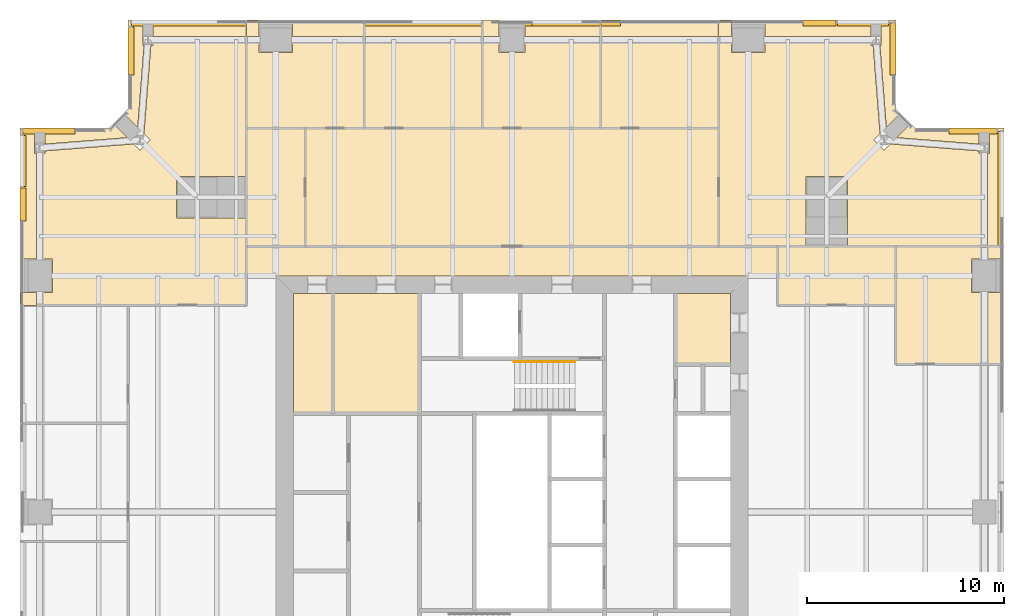
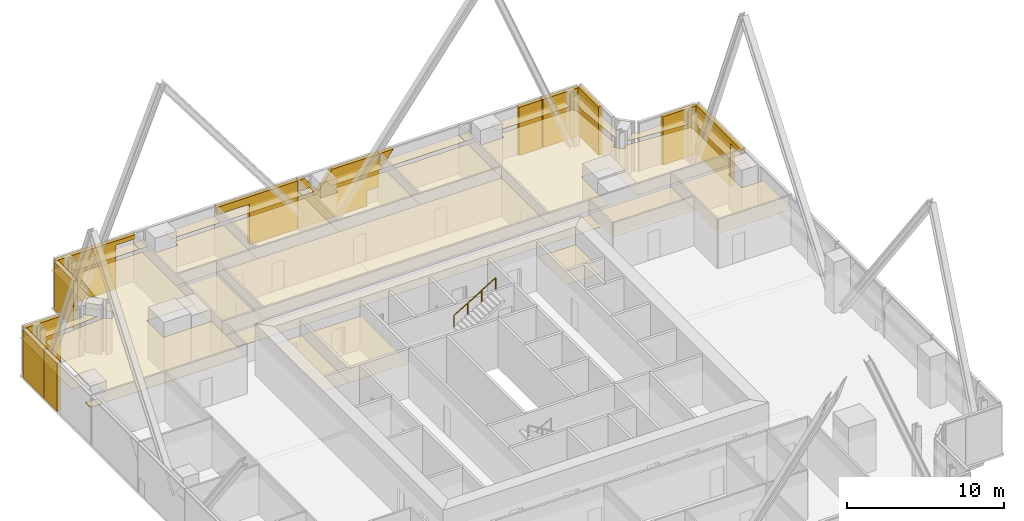
# One storey, part 14 of 14: 43 coverings, 1 railing.
"""IFC4 building model written with IfcOpenShell, lengths in metres."""

from ifc_helpers import new_model, si_unit, direction, frame, origin, origin_2d, place, context, subcontext, project, spatial, polyline, circle, outline, extrude, material, layer, layer_set, type_object, element, save


model = new_model("IFC4")

# Units and contexts
model_context = context("Model", 3, precision=1e-05, world=origin(), true_north=direction((0.0, 1.0)))
body_context = subcontext(model_context, "Body", "Model", "MODEL_VIEW")
ifc_project = project(units=[si_unit("LENGTHUNIT", "METRE"), si_unit("AREAUNIT", "SQUARE_METRE"), si_unit("VOLUMEUNIT", "CUBIC_METRE"), si_unit("PLANEANGLEUNIT", "RADIAN"), si_unit("MASSUNIT", "GRAM", prefix="KILO")], contexts=[model_context])

# Site, building, storey
site_placement = place(None, origin())
site = spatial("IfcSite", under=ifc_project, at=site_placement, CompositionType="ELEMENT")
building_placement = place(site_placement, origin())
building = spatial("IfcBuilding", under=site, at=building_placement, Name="Fenwick Lantern Interchange", CompositionType="ELEMENT")
storey_placement = place(building_placement, frame((0.0, 0.0, 185.800048828125)))
storey = spatial("IfcBuildingStorey", under=building, at=storey_placement, Name="L43", CompositionType="ELEMENT", Elevation=185.800048828125)

# Coverings
ifc_material_1 = material(Name="Mineral fibre acoustic tile on suspended grid")
ifc_layer_1 = layer(ifc_material_1, 0.02001953125)
ifc_layer_set_1 = layer_set([ifc_layer_1], Name="ACOUSTIC TILE CEILING 20")
covering_type_1 = type_object("IfcCoveringType", Name="ACOUSTIC TILE CEILING 20", PredefinedType="CEILING", material=ifc_layer_set_1)
covering_1_placement = place(storey_placement, frame((0.0, 0.0, 2.699951171875)))
element("IfcCovering", 1, at=covering_1_placement, inside=storey, type_object=covering_type_1, Name="Quiet room ceiling", PredefinedType="CEILING", context=body_context, shape_type="SweptSolid", body=[
    extrude(outline(polyline([(50.0, 32.5), (50.0, 36.14990234375), (48.35009765625, 36.14990234375), (48.35009765625, 37.85009765625), (50.0, 37.85009765625), (50.0, 38.5), (44.5, 38.5), (44.5, 32.5), (50.0, 32.5)])), origin(), (0.0, 0.0, 1.0), 0.02001953125),
])
covering_2_placement = place(storey_placement, frame((0.0, 0.0, 2.89990234375)))
element("IfcCovering", 2, at=covering_2_placement, inside=storey, type_object=covering_type_1, Name="Open office ceiling", PredefinedType="CEILING", context=body_context, shape_type="SweptSolid", body=[
    extrude(outline(polyline([(35.5, 38.5), (35.5, 44.5), (14.5, 44.5), (14.5, 38.5), (35.5, 38.5)])), origin(), (0.0, 0.0, 1.0), 0.02001953125),
])
covering_3_placement = place(storey_placement, frame((0.0, 0.0, 2.89990234375)))
element("IfcCovering", 3, at=covering_3_placement, inside=storey, type_object=covering_type_1, Name="Office ceiling", PredefinedType="CEILING", context=body_context, shape_type="SweptSolid", body=[
    extrude(outline(polyline([(42.050048828125, 38.5), (48.82763671875, 38.5), (48.82763671875, 43.21240234375), (48.73779296875, 43.21240234375), (48.73779296875, 43.34765625), (44.22216796875, 43.701904296875), (43.89990234375, 43.379638671875), (43.379638671875, 43.89990234375), (43.701904296875, 44.22216796875), (43.349609375, 48.71240234375), (43.23779296875, 48.71240234375), (43.23779296875, 48.82763671875), (37.85009765625, 48.82763671875), (37.85009765625, 48.35009765625), (36.14990234375, 48.35009765625), (36.14990234375, 48.82763671875), (35.5, 48.82763671875), (35.5, 38.5), (39.949951171875, 38.5), (39.949951171875, 42.050048828125), (42.050048828125, 42.050048828125), (42.050048828125, 38.5)])), origin(), (0.0, 0.0, 1.0), 0.02001953125),
])
covering_4_placement = place(storey_placement, frame((0.0, 0.0, 2.89990234375)))
element("IfcCovering", 4, at=covering_4_placement, inside=storey, type_object=covering_type_1, Name="Office ceiling", PredefinedType="CEILING", context=body_context, shape_type="SweptSolid", body=[
    extrude(outline(polyline([(49.26220703125, 44.5), (49.26220703125, 43.21240234375), (49.17236328125, 43.21240234375), (49.17236328125, 38.5), (50.0, 38.5), (50.0, 44.5), (49.26220703125, 44.5)])), origin(), (0.0, 0.0, 1.0), 0.02001953125),
])
covering_5_placement = place(storey_placement, frame((0.0, 0.0, 2.89990234375)))
element("IfcCovering", 5, at=covering_5_placement, inside=storey, type_object=covering_type_1, Name="Office ceiling", PredefinedType="CEILING", context=body_context, shape_type="SweptSolid", body=[
    extrude(outline(polyline([(37.85009765625, 50.0), (37.85009765625, 49.17236328125), (43.23779296875, 49.17236328125), (43.23779296875, 50.0), (37.85009765625, 50.0)])), origin(), (0.0, 0.0, 1.0), 0.02001953125),
])
covering_6_placement = place(storey_placement, frame((0.0, 0.0, 2.89990234375)))
element("IfcCovering", 6, at=covering_6_placement, inside=storey, type_object=covering_type_1, Name="Office ceiling", PredefinedType="CEILING", context=body_context, shape_type="SweptSolid", body=[
    extrude(outline(polyline([(43.76220703125, 48.71240234375), (43.695556640625, 48.71240234375), (44.0224609375, 44.542724609375), (44.73974609375, 45.26025390625), (44.5, 45.5), (44.5, 50.0), (43.76220703125, 50.0), (43.76220703125, 48.71240234375)])), origin(), (0.0, 0.0, 1.0), 0.02001953125),
])
covering_7_placement = place(storey_placement, frame((0.0, 0.0, 2.89990234375)))
element("IfcCovering", 7, at=covering_7_placement, inside=storey, type_object=covering_type_1, Name="Office ceiling", PredefinedType="CEILING", context=body_context, shape_type="SweptSolid", body=[
    extrude(outline(polyline([(45.26025390625, 44.73974609375), (44.542724609375, 44.0224609375), (48.73779296875, 43.693603515625), (48.73779296875, 44.5), (45.5, 44.5), (45.26025390625, 44.73974609375)])), origin(), (0.0, 0.0, 1.0), 0.02001953125),
])
covering_8_placement = place(storey_placement, frame((0.0, 0.0, 2.89990234375)))
element("IfcCovering", 8, at=covering_8_placement, inside=storey, type_object=covering_type_1, Name="Office ceiling", PredefinedType="CEILING", context=body_context, shape_type="SweptSolid", body=[
    extrude(outline(polyline([(35.5, 50.0), (35.5, 49.17236328125), (36.14990234375, 49.17236328125), (36.14990234375, 50.0), (35.5, 50.0)])), origin(), (0.0, 0.0, 1.0), 0.02001953125),
])
covering_9_placement = place(storey_placement, frame((0.0, 0.0, 2.89990234375)))
element("IfcCovering", 9, at=covering_9_placement, inside=storey, type_object=covering_type_1, Name="Office ceiling", PredefinedType="CEILING", context=body_context, shape_type="SweptSolid", body=[
    extrude(outline(polyline([(35.5, 44.5), (35.5, 48.82763671875), (29.5, 48.82763671875), (29.5, 44.5), (35.5, 44.5)])), origin(), (0.0, 0.0, 1.0), 0.02001953125),
])
covering_10_placement = place(storey_placement, frame((0.0, 0.0, 2.89990234375)))
element("IfcCovering", 10, at=covering_10_placement, inside=storey, type_object=covering_type_1, Name="Office ceiling", PredefinedType="CEILING", context=body_context, shape_type="SweptSolid", body=[
    extrude(outline(polyline([(29.5, 50.0), (29.5, 49.17236328125), (35.5, 49.17236328125), (35.5, 50.0), (29.5, 50.0)])), origin(), (0.0, 0.0, 1.0), 0.02001953125),
])
covering_11_placement = place(storey_placement, frame((0.0, 0.0, 2.89990234375)))
element("IfcCovering", 11, at=covering_11_placement, inside=storey, type_object=covering_type_1, Name="Office ceiling", PredefinedType="CEILING", context=body_context, shape_type="SweptSolid", body=[
    extrude(outline(polyline([(29.5, 44.5), (29.5, 48.82763671875), (25.64990234375, 48.82763671875), (25.64990234375, 48.35009765625), (24.35009765625, 48.35009765625), (24.35009765625, 48.82763671875), (23.5, 48.82763671875), (23.5, 44.5), (29.5, 44.5)])), origin(), (0.0, 0.0, 1.0), 0.02001953125),
])
covering_12_placement = place(storey_placement, frame((0.0, 0.0, 2.89990234375)))
element("IfcCovering", 12, at=covering_12_placement, inside=storey, type_object=covering_type_1, Name="Office ceiling", PredefinedType="CEILING", context=body_context, shape_type="SweptSolid", body=[
    extrude(outline(polyline([(29.5, 49.17236328125), (29.5, 50.0), (25.64990234375, 50.0), (25.64990234375, 49.17236328125), (29.5, 49.17236328125)])), origin(), (0.0, 0.0, 1.0), 0.02001953125),
])
covering_13_placement = place(storey_placement, frame((0.0, 0.0, 2.89990234375)))
element("IfcCovering", 13, at=covering_13_placement, inside=storey, type_object=covering_type_1, Name="Office ceiling", PredefinedType="CEILING", context=body_context, shape_type="SweptSolid", body=[
    extrude(outline(polyline([(23.5, 50.0), (23.5, 49.17236328125), (24.35009765625, 49.17236328125), (24.35009765625, 50.0), (23.5, 50.0)])), origin(), (0.0, 0.0, 1.0), 0.02001953125),
])
covering_14_placement = place(storey_placement, frame((0.0, 0.0, 2.89990234375)))
element("IfcCovering", 14, at=covering_14_placement, inside=storey, type_object=covering_type_1, Name="Office ceiling", PredefinedType="CEILING", context=body_context, shape_type="SweptSolid", body=[
    extrude(outline(polyline([(23.5, 44.5), (23.5, 48.82763671875), (17.5, 48.82763671875), (17.5, 44.5), (23.5, 44.5)])), origin(), (0.0, 0.0, 1.0), 0.02001953125),
])
covering_15_placement = place(storey_placement, frame((0.0, 0.0, 2.89990234375)))
element("IfcCovering", 15, at=covering_15_placement, inside=storey, type_object=covering_type_1, Name="Office ceiling", PredefinedType="CEILING", context=body_context, shape_type="SweptSolid", body=[
    extrude(outline(polyline([(17.5, 50.0), (17.5, 49.17236328125), (23.5, 49.17236328125), (23.5, 50.0), (17.5, 50.0)])), origin(), (0.0, 0.0, 1.0), 0.02001953125),
])
covering_16_placement = place(storey_placement, frame((0.0, 0.0, 2.89990234375)))
element("IfcCovering", 16, at=covering_16_placement, inside=storey, type_object=covering_type_1, Name="Office ceiling", PredefinedType="CEILING", context=body_context, shape_type="SweptSolid", body=[
    extrude(outline(polyline([(17.5, 44.5), (17.5, 48.82763671875), (13.85009765625, 48.82763671875), (13.85009765625, 48.35009765625), (12.14990234375, 48.35009765625), (12.14990234375, 48.82763671875), (11.5, 48.82763671875), (11.5, 44.5), (17.5, 44.5)])), origin(), (0.0, 0.0, 1.0), 0.02001953125),
])
covering_17_placement = place(storey_placement, frame((0.0, 0.0, 2.89990234375)))
element("IfcCovering", 17, at=covering_17_placement, inside=storey, type_object=covering_type_1, Name="Office ceiling", PredefinedType="CEILING", context=body_context, shape_type="SweptSolid", body=[
    extrude(outline(polyline([(17.5, 49.17236328125), (17.5, 50.0), (13.85009765625, 50.0), (13.85009765625, 49.17236328125), (17.5, 49.17236328125)])), origin(), (0.0, 0.0, 1.0), 0.02001953125),
])
covering_18_placement = place(storey_placement, frame((0.0, 0.0, 2.89990234375)))
element("IfcCovering", 18, at=covering_18_placement, inside=storey, type_object=covering_type_1, Name="Office ceiling", PredefinedType="CEILING", context=body_context, shape_type="SweptSolid", body=[
    extrude(outline(polyline([(11.5, 50.0), (11.5, 49.17236328125), (12.14990234375, 49.17236328125), (12.14990234375, 50.0), (11.5, 50.0)])), origin(), (0.0, 0.0, 1.0), 0.02001953125),
])
covering_19_placement = place(storey_placement, frame((0.0, 0.0, 2.89990234375)))
element("IfcCovering", 19, at=covering_19_placement, inside=storey, type_object=covering_type_1, Name="Office ceiling", PredefinedType="CEILING", context=body_context, shape_type="SweptSolid", body=[
    extrude(outline(polyline([(6.76220703125, 48.71240234375), (6.650390625, 48.71240234375), (6.298095703125, 44.22216796875), (6.620361328125, 43.89990234375), (6.10009765625, 43.379638671875), (5.77783203125, 43.701904296875), (1.26220703125, 43.34765625), (1.26220703125, 43.21240234375), (1.17236328125, 43.21240234375), (1.17236328125, 37.85009765625), (1.64990234375, 37.85009765625), (1.64990234375, 36.14990234375), (1.17236328125, 36.14990234375), (1.17236328125, 35.5), (11.5, 35.5), (11.5, 39.949951171875), (7.949951171875, 39.949951171875), (7.949951171875, 42.050048828125), (11.5, 42.050048828125), (11.5, 48.82763671875), (6.76220703125, 48.82763671875), (6.76220703125, 48.71240234375)])), origin(), (0.0, 0.0, 1.0), 0.02001953125),
])
covering_20_placement = place(storey_placement, frame((0.0, 0.0, 2.89990234375)))
element("IfcCovering", 20, at=covering_20_placement, inside=storey, type_object=covering_type_1, Name="Office ceiling", PredefinedType="CEILING", context=body_context, shape_type="SweptSolid", body=[
    extrude(outline(polyline([(0.0, 37.85009765625), (0.82763671875, 37.85009765625), (0.82763671875, 43.21240234375), (0.73779296875, 43.21240234375), (0.73779296875, 44.5), (0.0, 44.5), (0.0, 37.85009765625)])), origin(), (0.0, 0.0, 1.0), 0.02001953125),
])
covering_21_placement = place(storey_placement, frame((0.0, 0.0, 2.89990234375)))
element("IfcCovering", 21, at=covering_21_placement, inside=storey, type_object=covering_type_1, Name="Office ceiling", PredefinedType="CEILING", context=body_context, shape_type="SweptSolid", body=[
    extrude(outline(polyline([(6.76220703125, 50.0), (6.76220703125, 49.17236328125), (11.5, 49.17236328125), (11.5, 50.0), (6.76220703125, 50.0)])), origin(), (0.0, 0.0, 1.0), 0.02001953125),
])
covering_22_placement = place(storey_placement, frame((0.0, 0.0, 2.89990234375)))
element("IfcCovering", 22, at=covering_22_placement, inside=storey, type_object=covering_type_1, Name="Office ceiling", PredefinedType="CEILING", context=body_context, shape_type="SweptSolid", body=[
    extrude(outline(polyline([(6.304443359375, 48.71240234375), (6.23779296875, 48.71240234375), (6.23779296875, 50.0), (5.5, 50.0), (5.5, 45.5), (5.26025390625, 45.26025390625), (5.9775390625, 44.542724609375), (6.304443359375, 48.71240234375)])), origin(), (0.0, 0.0, 1.0), 0.02001953125),
])
covering_23_placement = place(storey_placement, frame((0.0, 0.0, 2.89990234375)))
element("IfcCovering", 23, at=covering_23_placement, inside=storey, type_object=covering_type_1, Name="Office ceiling", PredefinedType="CEILING", context=body_context, shape_type="SweptSolid", body=[
    extrude(outline(polyline([(1.26220703125, 44.5), (1.26220703125, 43.693603515625), (5.457275390625, 44.0224609375), (4.73974609375, 44.73974609375), (4.5, 44.5), (1.26220703125, 44.5)])), origin(), (0.0, 0.0, 1.0), 0.02001953125),
])
covering_24_placement = place(storey_placement, frame((0.0, 0.0, 2.89990234375)))
element("IfcCovering", 24, at=covering_24_placement, inside=storey, type_object=covering_type_1, Name="Office ceiling", PredefinedType="CEILING", context=body_context, shape_type="SweptSolid", body=[
    extrude(outline(polyline([(0.0, 35.5), (0.82763671875, 35.5), (0.82763671875, 36.14990234375), (0.0, 36.14990234375), (0.0, 35.5)])), origin(), (0.0, 0.0, 1.0), 0.02001953125),
])
ifc_material_2 = material(Name="Granite cladding, warm grey flamed finish, on aluminium carrier frame", Category="masonry")
ifc_layer_2 = layer(ifc_material_2, 0.300048828125)
ifc_layer_set_2 = layer_set([ifc_layer_2], Name="BRACE CASING PANEL 300")
covering_type_2 = type_object("IfcCoveringType", Name="BRACE CASING PANEL 300", PredefinedType="CLADDING", material=ifc_layer_set_2)
covering_25_placement = place(storey_placement, frame((49.89990234375, 5.60009765625, 0.0), z_axis=(0.0, 0.0, 1.0), x_axis=(0.0, 1.0, 0.0)))
element("IfcCovering", 25, at=covering_25_placement, inside=storey, type_object=covering_type_2, Name="Brace casing 05 bay 06a", PredefinedType="CLADDING", context=body_context, shape_type="SweptSolid", body=[
    extrude(outline(polyline([(34.322509765625, 0.0), (38.735107421875, 0.0), (38.735107421875, 3.75), (32.9326171875, 3.75), (32.9326171875, 3.417724609375), (34.322509765625, 3.417724609375), (34.322509765625, 0.0)])), frame((0.0, 0.2001953125, 0.0), z_axis=(0.0, -1.0, 0.0), x_axis=(1.0, 0.0, 0.0)), (0.0, 0.0, 1.0), 0.300048828125),
])
covering_26_placement = place(storey_placement, frame((49.89990234375, 44.39990234375, 0.0), z_axis=(0.0, 0.0, 1.0), x_axis=(-1.0, 0.0, 0.0)))
element("IfcCovering", 26, at=covering_26_placement, inside=storey, type_object=covering_type_2, Name="Brace casing 06 bay 00a", PredefinedType="CLADDING", context=body_context, shape_type="SweptSolid", body=[
    extrude(outline(polyline([(0.264892578125, 0.0), (2.699951171875, 0.0), (2.699951171875, 3.75), (0.264892578125, 3.75), (0.264892578125, 0.0)])), frame((0.0, 0.2001953125, 0.0), z_axis=(0.0, -1.0, 0.0), x_axis=(1.0, 0.0, 0.0)), (0.0, 0.0, 1.0), 0.300048828125),
])
covering_27_placement = place(storey_placement, frame((44.39990234375, 45.45849609375, 0.0), z_axis=(0.0, 0.0, 1.0), x_axis=(0.0, 1.0, 0.0)))
element("IfcCovering", 27, at=covering_27_placement, inside=storey, type_object=covering_type_2, Name="Brace casing 08 bay 00a", PredefinedType="CLADDING", context=body_context, shape_type="SweptSolid", body=[
    extrude(outline(polyline([(1.741455078125, 0.0), (4.37646484375, 0.0), (4.37646484375, 3.75), (1.741455078125, 3.75), (1.741455078125, 0.0)])), frame((0.0, 0.2001953125, 0.0), z_axis=(0.0, -1.0, 0.0), x_axis=(1.0, 0.0, 0.0)), (0.0, 0.0, 1.0), 0.300048828125),
])
covering_28_placement = place(storey_placement, frame((44.39990234375, 49.89990234375, 0.0), z_axis=(0.0, 0.0, 1.0), x_axis=(-1.0, 0.0, 0.0)))
element("IfcCovering", 28, at=covering_28_placement, inside=storey, type_object=covering_type_2, Name="Brace casing 09 bay 00a", PredefinedType="CLADDING", context=body_context, shape_type="SweptSolid", body=[
    extrude(outline(polyline([(0.264892578125, 0.0), (2.867431640625, 0.0), (2.867431640625, 3.75), (0.264892578125, 3.75), (0.264892578125, 0.0)])), frame((0.0, 0.2001953125, 0.0), z_axis=(0.0, -1.0, 0.0), x_axis=(1.0, 0.0, 0.0)), (0.0, 0.0, 1.0), 0.300048828125),
])
covering_29_placement = place(storey_placement, frame((44.39990234375, 49.89990234375, 0.0), z_axis=(0.0, 0.0, 1.0), x_axis=(-1.0, 0.0, 0.0)))
element("IfcCovering", 29, at=covering_29_placement, inside=storey, type_object=covering_type_2, Name="Brace casing 09 bay 01a", PredefinedType="CLADDING", context=body_context, shape_type="SweptSolid", body=[
    extrude(outline(polyline([(2.9326171875, 0.0), (4.614013671875, 0.0), (4.614013671875, 3.75), (2.9326171875, 3.75), (2.9326171875, 0.0)])), frame((0.0, 0.2001953125, 0.0), z_axis=(0.0, -1.0, 0.0), x_axis=(1.0, 0.0, 0.0)), (0.0, 0.0, 1.0), 0.300048828125),
])
covering_30_placement = place(storey_placement, frame((44.39990234375, 49.89990234375, 2.437255859375), z_axis=(0.0, 0.0, 1.0), x_axis=(-1.0, 0.0, 0.0)))
element("IfcCovering", 30, at=covering_30_placement, inside=storey, type_object=covering_type_2, Name="Brace casing 09 bay 02a", PredefinedType="CLADDING", context=body_context, shape_type="SweptSolid", body=[
    extrude(outline(polyline([(14.867431640625, 0.0), (14.867431640625, 1.312744140625), (13.883056640625, 1.312744140625), (14.867431640625, 0.0)])), frame((0.0, 0.2001953125, 0.0), z_axis=(0.0, -1.0, 0.0), x_axis=(1.0, 0.0, 0.0)), (0.0, 0.0, 1.0), 0.300048828125),
])
covering_31_placement = place(storey_placement, frame((44.39990234375, 49.89990234375, 0.0), z_axis=(0.0, 0.0, 1.0), x_axis=(-1.0, 0.0, 0.0)))
element("IfcCovering", 31, at=covering_31_placement, inside=storey, type_object=covering_type_2, Name="Brace casing 09 bay 03a", PredefinedType="CLADDING", context=body_context, shape_type="SweptSolid", body=[
    extrude(outline(polyline([(15.8125, 0.0), (20.867431640625, 0.0), (20.867431640625, 3.75), (20.4169921875, 3.75), (19.39990234375, 2.39404296875), (18.383056640625, 3.75), (14.9326171875, 3.75), (14.9326171875, 1.17724609375), (15.8125, 1.17724609375), (15.8125, 0.0)])), frame((0.0, 0.2001953125, 0.0), z_axis=(0.0, -1.0, 0.0), x_axis=(1.0, 0.0, 0.0)), (0.0, 0.0, 1.0), 0.300048828125),
])
covering_32_placement = place(storey_placement, frame((44.39990234375, 49.89990234375, 0.0), z_axis=(0.0, 0.0, 1.0), x_axis=(-1.0, 0.0, 0.0)))
element("IfcCovering", 32, at=covering_32_placement, inside=storey, type_object=covering_type_2, Name="Brace casing 09 bay 04a", PredefinedType="CLADDING", context=body_context, shape_type="SweptSolid", body=[
    extrude(outline(polyline([(20.9326171875, 0.0), (24.484375, 0.0), (24.484375, 3.17333984375), (26.867431640625, 3.17333984375), (26.867431640625, 3.75), (20.9326171875, 3.75), (20.9326171875, 0.0)])), frame((0.0, 0.2001953125, 0.0), z_axis=(0.0, -1.0, 0.0), x_axis=(1.0, 0.0, 0.0)), (0.0, 0.0, 1.0), 0.300048828125),
])
covering_33_placement = place(storey_placement, frame((44.39990234375, 49.89990234375, 0.0), z_axis=(0.0, 0.0, 1.0), x_axis=(-1.0, 0.0, 0.0)))
element("IfcCovering", 33, at=covering_33_placement, inside=storey, type_object=covering_type_2, Name="Brace casing 09 bay 06a", PredefinedType="CLADDING", context=body_context, shape_type="SweptSolid", body=[
    extrude(outline(polyline([(34.322509765625, 0.0), (38.735107421875, 0.0), (38.735107421875, 3.75), (32.9326171875, 3.75), (32.9326171875, 3.417724609375), (34.322509765625, 3.417724609375), (34.322509765625, 0.0)])), frame((0.0, 0.2001953125, 0.0), z_axis=(0.0, -1.0, 0.0), x_axis=(1.0, 0.0, 0.0)), (0.0, 0.0, 1.0), 0.300048828125),
])
covering_34_placement = place(storey_placement, frame((5.60009765625, 49.89990234375, 0.0), z_axis=(0.0, 0.0, 1.0), x_axis=(0.0, -1.0, 0.0)))
element("IfcCovering", 34, at=covering_34_placement, inside=storey, type_object=covering_type_2, Name="Brace casing 10 bay 00a", PredefinedType="CLADDING", context=body_context, shape_type="SweptSolid", body=[
    extrude(outline(polyline([(0.264892578125, 0.0), (2.699951171875, 0.0), (2.699951171875, 3.75), (0.264892578125, 3.75), (0.264892578125, 0.0)])), frame((0.0, 0.2001953125, 0.0), z_axis=(0.0, -1.0, 0.0), x_axis=(1.0, 0.0, 0.0)), (0.0, 0.0, 1.0), 0.300048828125),
])
covering_35_placement = place(storey_placement, frame((4.54150390625, 44.39990234375, 0.0), z_axis=(0.0, 0.0, 1.0), x_axis=(-1.0, 0.0, 0.0)))
element("IfcCovering", 35, at=covering_35_placement, inside=storey, type_object=covering_type_2, Name="Brace casing 12 bay 00a", PredefinedType="CLADDING", context=body_context, shape_type="SweptSolid", body=[
    extrude(outline(polyline([(1.741455078125, 0.0), (4.37646484375, 0.0), (4.37646484375, 3.75), (1.741455078125, 3.75), (1.741455078125, 0.0)])), frame((0.0, 0.2001953125, 0.0), z_axis=(0.0, -1.0, 0.0), x_axis=(1.0, 0.0, 0.0)), (0.0, 0.0, 1.0), 0.300048828125),
])
covering_36_placement = place(storey_placement, frame((0.10009765625, 44.39990234375, 0.0), z_axis=(0.0, 0.0, 1.0), x_axis=(0.0, -1.0, 0.0)))
element("IfcCovering", 36, at=covering_36_placement, inside=storey, type_object=covering_type_2, Name="Brace casing 13 bay 00a", PredefinedType="CLADDING", context=body_context, shape_type="SweptSolid", body=[
    extrude(outline(polyline([(0.264892578125, 0.0), (2.867431640625, 0.0), (2.867431640625, 3.75), (0.264892578125, 3.75), (0.264892578125, 0.0)])), frame((0.0, 0.2001953125, 0.0), z_axis=(0.0, -1.0, 0.0), x_axis=(1.0, 0.0, 0.0)), (0.0, 0.0, 1.0), 0.300048828125),
])
covering_37_placement = place(storey_placement, frame((0.10009765625, 44.39990234375, 0.0), z_axis=(0.0, 0.0, 1.0), x_axis=(0.0, -1.0, 0.0)))
element("IfcCovering", 37, at=covering_37_placement, inside=storey, type_object=covering_type_2, Name="Brace casing 13 bay 01a", PredefinedType="CLADDING", context=body_context, shape_type="SweptSolid", body=[
    extrude(outline(polyline([(2.9326171875, 0.0), (4.614013671875, 0.0), (4.614013671875, 3.75), (2.9326171875, 3.75), (2.9326171875, 0.0)])), frame((0.0, 0.2001953125, 0.0), z_axis=(0.0, -1.0, 0.0), x_axis=(1.0, 0.0, 0.0)), (0.0, 0.0, 1.0), 0.300048828125),
])

# Railing
ifc_material_3 = material(Name="Stainless steel handrail", Category="steel")
railing_type = type_object("IfcRailingType", Name="HANDRAIL 900", PredefinedType="HANDRAIL", material=ifc_material_3)
railing_placement = place(storey_placement, frame((25.1201171875, 32.6259765625, 2.16650390625)))
element("IfcRailing", 38, at=railing_placement, inside=storey, type_object=railing_type, Name="L43/STAIR/ST2/HR2", PredefinedType="HANDRAIL", context=body_context, shape_type="SweptSolid", body=[
    extrude(circle(Radius=0.02392578125, at=origin_2d()), frame((0.0, 0.0, 0.8759765625), z_axis=(0.859260807169, 0.0, 0.511537745687), x_axis=(0.0, 1.0, 0.0)), (0.0, 0.0, 1.0), 3.584228515625),
    extrude(circle(Radius=0.02099609375, at=origin_2d()), origin(), (0.0, 0.0, 1.0), 0.851806640625),
    extrude(circle(Radius=0.02099609375, at=origin_2d()), frame((1.026611328125, 0.0, 0.611083984375)), (0.0, 0.0, 1.0), 0.851806640625),
    extrude(circle(Radius=0.02099609375, at=origin_2d()), frame((2.05322265625, 0.0, 1.222412109375)), (0.0, 0.0, 1.0), 0.851806640625),
    extrude(circle(Radius=0.02099609375, at=origin_2d()), frame((3.079833984375, 0.0, 1.83349609375)), (0.0, 0.0, 1.0), 0.851806640625),
])

# Coverings
ifc_material_4 = material(Name="Moisture resistant gypsum board on suspended frame, painted")
ifc_layer_3 = layer(ifc_material_4, 0.014892578125)
ifc_layer_set_3 = layer_set([ifc_layer_3], Name="MOISTURE RESISTANT CEILING 15")
covering_type_3 = type_object("IfcCoveringType", Name="MOISTURE RESISTANT CEILING 15", PredefinedType="CEILING", material=ifc_layer_set_3)
covering_38_placement = place(storey_placement, frame((0.0, 0.0, 2.599853515625)))
element("IfcCovering", 39, at=covering_38_placement, inside=storey, type_object=covering_type_3, Name="Women's WC ceiling", PredefinedType="CEILING", context=body_context, shape_type="SweptSolid", body=[
    extrude(outline(polyline([(20.300048828125, 36.10009765625), (15.89990234375, 36.10009765625), (15.89990234375, 30.0), (20.300048828125, 30.0), (20.300048828125, 36.10009765625)])), origin(), (0.0, 0.0, 1.0), 0.01513671875),
])
covering_39_placement = place(storey_placement, frame((0.0, 0.0, 2.599853515625)))
element("IfcCovering", 40, at=covering_39_placement, inside=storey, type_object=covering_type_3, Name="Men's WC ceiling", PredefinedType="CEILING", context=body_context, shape_type="SweptSolid", body=[
    extrude(outline(polyline([(15.89990234375, 36.10009765625), (13.89990234375, 36.10009765625), (13.89990234375, 30.0), (15.89990234375, 30.0), (15.89990234375, 36.10009765625)])), origin(), (0.0, 0.0, 1.0), 0.01513671875),
])
covering_40_placement = place(storey_placement, frame((0.0, 0.0, 2.599853515625)))
element("IfcCovering", 41, at=covering_40_placement, inside=storey, type_object=covering_type_3, Name="Accessible WC and shower ceiling", PredefinedType="CEILING", context=body_context, shape_type="SweptSolid", body=[
    extrude(outline(polyline([(36.10009765625, 36.10009765625), (33.300048828125, 36.10009765625), (33.300048828125, 32.5), (36.10009765625, 32.5), (36.10009765625, 36.10009765625)])), origin(), (0.0, 0.0, 1.0), 0.01513671875),
])
covering_41_placement = place(storey_placement, frame((0.0, 0.0, 2.699951171875)))
element("IfcCovering", 42, at=covering_41_placement, inside=storey, type_object=covering_type_3, Name="Pantry ceiling", PredefinedType="CEILING", context=body_context, shape_type="SweptSolid", body=[
    extrude(outline(polyline([(44.5, 35.5), (44.5, 38.5), (38.5, 38.5), (38.5, 35.5), (44.5, 35.5)])), origin(), (0.0, 0.0, 1.0), 0.014892578125),
])
covering_42_placement = place(storey_placement, frame((0.0, 0.0, 2.699951171875)))
element("IfcCovering", 43, at=covering_42_placement, inside=storey, type_object=covering_type_3, Name="Pantry ceiling", PredefinedType="CEILING", context=body_context, shape_type="SweptSolid", body=[
    extrude(outline(polyline([(14.5, 44.5), (11.5, 44.5), (11.5, 38.5), (14.5, 38.5), (14.5, 44.5)])), origin(), (0.0, 0.0, 1.0), 0.014892578125),
])
ifc_material_5 = material(Name="Gypsum plasterboard on suspended frame, painted")
ifc_layer_4 = layer(ifc_material_5, 0.014892578125)
ifc_layer_set_4 = layer_set([ifc_layer_4], Name="PLASTERBOARD CEILING 15")
covering_type_4 = type_object("IfcCoveringType", Name="PLASTERBOARD CEILING 15", PredefinedType="CEILING", material=ifc_layer_set_4)
covering_43_placement = place(storey_placement, frame((0.0, 0.0, 2.599853515625)))
element("IfcCovering", 44, at=covering_43_placement, inside=storey, type_object=covering_type_4, Name="Corridor ceiling", PredefinedType="CEILING", context=body_context, shape_type="SweptSolid", body=[
    extrude(outline(polyline([(11.5, 38.5), (11.5, 37.0), (38.5, 37.0), (38.5, 38.5), (11.5, 38.5)])), origin(), (0.0, 0.0, 1.0), 0.01513671875),
])

save(model, "model.ifc")
